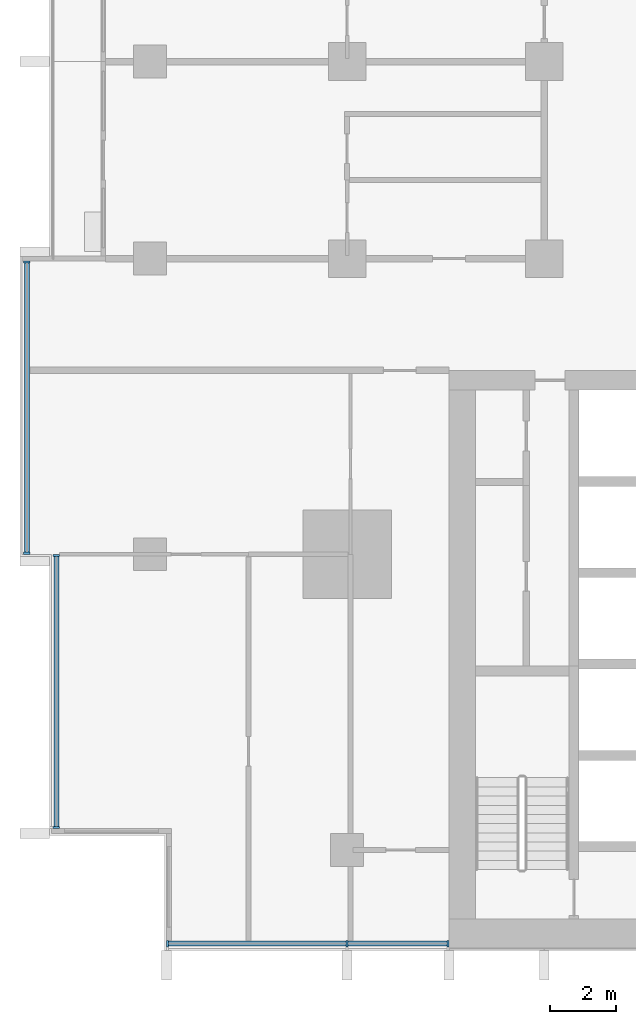
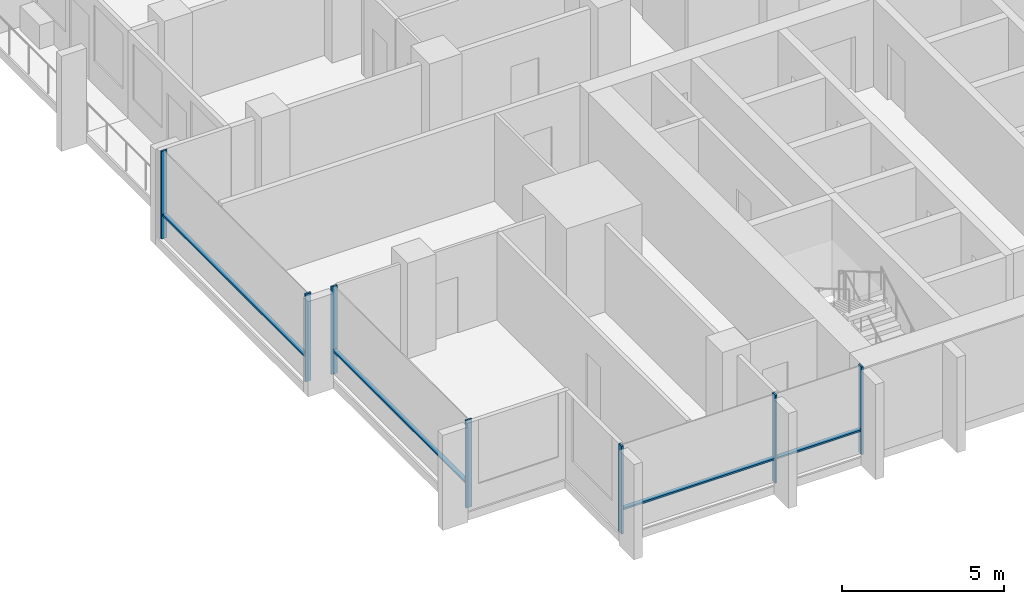
# One storey, part 2 of 17: 11 members, 3 elements without a shape of their own.
"""IFC4 building model written with IfcOpenShell, lengths in metres."""

from ifc_helpers import new_model, si_unit, direction, frame, origin, origin_2d, place, context, subcontext, project, spatial, rectangle, extrude, material, material_profile, profile_set, type_object, element, aggregate, save


model = new_model("IFC4")

# Units and contexts
model_context = context("Model", 3, precision=1e-05, world=origin(), true_north=direction((0.0, 1.0)))
body_context = subcontext(model_context, "Body", "Model", "MODEL_VIEW")
ifc_project = project(units=[si_unit("LENGTHUNIT", "METRE"), si_unit("AREAUNIT", "SQUARE_METRE"), si_unit("VOLUMEUNIT", "CUBIC_METRE"), si_unit("PLANEANGLEUNIT", "RADIAN"), si_unit("MASSUNIT", "GRAM", prefix="KILO")], contexts=[model_context])

# Site, building, storey
site_placement = place(None, origin())
site = spatial("IfcSite", under=ifc_project, at=site_placement, CompositionType="ELEMENT")
building_placement = place(site_placement, origin())
building = spatial("IfcBuilding", under=site, at=building_placement, Name="Finial Court Residences", CompositionType="ELEMENT")
storey_placement = place(building_placement, frame((0.0, 0.0, 102.699951171875)))
storey = spatial("IfcBuildingStorey", under=building, at=storey_placement, Name="L25", CompositionType="ELEMENT", Elevation=102.699951171875)

# Curtain wall, members
ifc_material = material(Name="Bronze anodised aluminium", Category="aluminium")
curtain_wall_type = type_object("IfcCurtainWallType", Name="Unitised curtain wall, lower and middle zones", PredefinedType="NOTDEFINED", material=ifc_material)
curtain_wall_1_placement = place(storey_placement, origin())
curtain_wall_1 = element("IfcCurtainWall", 1, at=curtain_wall_1_placement, inside=storey, type_object=curtain_wall_type, Name="E-L25-CW-S9", PredefinedType="NOTDEFINED")
ifc_material_profile_1 = material_profile(ifc_material, rectangle(XDim=0.199951171875, YDim=0.06494140625, at=origin_2d()), Name="CW1 mullion 65 x 200")
ifc_profile_set_1 = profile_set([ifc_material_profile_1], Name="Bronze anodised aluminium")
member_type_1 = type_object("IfcMemberType", Name="CW1 mullion 65 x 200", PredefinedType="MULLION", material=ifc_profile_set_1)
member_1_placement = place(storey_placement, frame((-21.967529296875, -25.35009765625, 0.0), z_axis=(0.0, 0.0, 1.0), x_axis=(0.0, 1.0, 0.0)))
member_1 = element("IfcMember", 2, at=member_1_placement, type_object=member_type_1, Name="CW1 mullion 1", PredefinedType="MULLION", context=body_context, shape_type="SweptSolid", body=[
    extrude(rectangle(XDim=0.199951171875, YDim=0.06494140625, at=origin_2d()), origin(), (0.0, 0.0, 1.0), 3.300048828125),
])
member_2_placement = place(storey_placement, frame((-16.5, -25.35009765625, 0.0), z_axis=(0.0, 0.0, 1.0), x_axis=(0.0, 1.0, 0.0)))
member_2 = element("IfcMember", 3, at=member_2_placement, type_object=member_type_1, Name="CW1 mullion 2", PredefinedType="MULLION", context=body_context, shape_type="SweptSolid", body=[
    extrude(rectangle(XDim=0.199951171875, YDim=0.06494140625, at=origin_2d()), origin(), (0.0, 0.0, 1.0), 3.300048828125),
])
member_3_placement = place(storey_placement, frame((-13.4326171875, -25.35009765625, 0.0), z_axis=(0.0, 0.0, 1.0), x_axis=(0.0, 1.0, 0.0)))
member_3 = element("IfcMember", 4, at=member_3_placement, type_object=member_type_1, Name="CW1 mullion 3", PredefinedType="MULLION", context=body_context, shape_type="SweptSolid", body=[
    extrude(rectangle(XDim=0.199951171875, YDim=0.06494140625, at=origin_2d()), origin(), (0.0, 0.0, 1.0), 3.300048828125),
])

curtain_wall_2_placement = place(storey_placement, origin())
curtain_wall_2 = element("IfcCurtainWall", 5, at=curtain_wall_2_placement, inside=storey, type_object=curtain_wall_type, Name="E-L25-CW-W11", PredefinedType="NOTDEFINED")
member_4_placement = place(storey_placement, frame((-25.35009765625, -21.8173828125, 0.0), z_axis=(0.0, 0.0, 1.0), x_axis=(-1.0, 0.0, 0.0)))
member_4 = element("IfcMember", 6, at=member_4_placement, type_object=member_type_1, Name="CW1 mullion 1", PredefinedType="MULLION", context=body_context, shape_type="SweptSolid", body=[
    extrude(rectangle(XDim=0.199951171875, YDim=0.06494140625, at=origin_2d()), origin(), (0.0, 0.0, 1.0), 3.300048828125),
])
member_5_placement = place(storey_placement, frame((-25.35009765625, -13.532470703125, 0.0), z_axis=(0.0, 0.0, 1.0), x_axis=(-1.0, 0.0, 0.0)))
member_5 = element("IfcMember", 7, at=member_5_placement, type_object=member_type_1, Name="CW1 mullion 2", PredefinedType="MULLION", context=body_context, shape_type="SweptSolid", body=[
    extrude(rectangle(XDim=0.199951171875, YDim=0.06494140625, at=origin_2d()), origin(), (0.0, 0.0, 1.0), 3.300048828125),
])

curtain_wall_3_placement = place(storey_placement, origin())
curtain_wall_3 = element("IfcCurtainWall", 8, at=curtain_wall_3_placement, inside=storey, type_object=curtain_wall_type, Name="E-L25-CW-W12", PredefinedType="NOTDEFINED")
member_6_placement = place(storey_placement, frame((-26.25, -13.467529296875, 0.0), z_axis=(0.0, 0.0, 1.0), x_axis=(-1.0, 0.0, 0.0)))
member_6 = element("IfcMember", 9, at=member_6_placement, type_object=member_type_1, Name="CW1 mullion 1", PredefinedType="MULLION", context=body_context, shape_type="SweptSolid", body=[
    extrude(rectangle(XDim=0.199951171875, YDim=0.06494140625, at=origin_2d()), origin(), (0.0, 0.0, 1.0), 3.300048828125),
])
member_7_placement = place(storey_placement, frame((-26.25, -4.607421875, 0.0), z_axis=(0.0, 0.0, 1.0), x_axis=(-1.0, 0.0, 0.0)))
member_7 = element("IfcMember", 10, at=member_7_placement, type_object=member_type_1, Name="CW1 mullion 2", PredefinedType="MULLION", context=body_context, shape_type="SweptSolid", body=[
    extrude(rectangle(XDim=0.199951171875, YDim=0.06494140625, at=origin_2d()), origin(), (0.0, 0.0, 1.0), 3.300048828125),
])

# Member
ifc_material_profile_2 = material_profile(ifc_material, rectangle(XDim=0.14990234375, YDim=0.06494140625, at=origin_2d()), Name="CW1 transom 65 x 150")
ifc_profile_set_2 = profile_set([ifc_material_profile_2], Name="Bronze anodised aluminium")
member_type_2 = type_object("IfcMemberType", Name="CW1 transom 65 x 150", PredefinedType="USERDEFINED", material=ifc_profile_set_2)
member_8_placement = place(storey_placement, frame((-21.93505859375, -25.35009765625, 0.900146484375), z_axis=(1.0, 0.0, 0.0), x_axis=(0.0, 1.0, 0.0)))
member_8 = element("IfcMember", 11, at=member_8_placement, type_object=member_type_2, Name="CW1 transom 1.1", ObjectType="TRANSOM", PredefinedType="USERDEFINED", context=body_context, shape_type="SweptSolid", body=[
    extrude(rectangle(XDim=0.14990234375, YDim=0.06494140625, at=origin_2d()), origin(), (0.0, 0.0, 1.0), 5.402587890625),
])

member_9_placement = place(storey_placement, frame((-16.467529296875, -25.35009765625, 0.900146484375), z_axis=(1.0, 0.0, 0.0), x_axis=(0.0, 1.0, 0.0)))
member_9 = element("IfcMember", 12, at=member_9_placement, type_object=member_type_2, Name="CW1 transom 2.1", ObjectType="TRANSOM", PredefinedType="USERDEFINED", context=body_context, shape_type="SweptSolid", body=[
    extrude(rectangle(XDim=0.14990234375, YDim=0.06494140625, at=origin_2d()), origin(), (0.0, 0.0, 1.0), 3.00244140625),
])

aggregate(curtain_wall_1, [member_1, member_2, member_3, member_8, member_9])

member_10_placement = place(storey_placement, frame((-25.35009765625, -21.784912109375, 0.900146484375), z_axis=(0.0, 1.0, 0.0), x_axis=(-1.0, 0.0, 0.0)))
member_10 = element("IfcMember", 13, at=member_10_placement, type_object=member_type_2, Name="CW1 transom 1.1", ObjectType="TRANSOM", PredefinedType="USERDEFINED", context=body_context, shape_type="SweptSolid", body=[
    extrude(rectangle(XDim=0.14990234375, YDim=0.06494140625, at=origin_2d()), origin(), (0.0, 0.0, 1.0), 8.219970703125),
])

aggregate(curtain_wall_2, [member_4, member_5, member_10])

member_11_placement = place(storey_placement, frame((-26.25, -13.43505859375, 0.900146484375), z_axis=(0.0, 1.0, 0.0), x_axis=(-1.0, 0.0, 0.0)))
member_11 = element("IfcMember", 14, at=member_11_placement, type_object=member_type_2, Name="CW1 transom 1.1", ObjectType="TRANSOM", PredefinedType="USERDEFINED", context=body_context, shape_type="SweptSolid", body=[
    extrude(rectangle(XDim=0.14990234375, YDim=0.06494140625, at=origin_2d()), origin(), (0.0, 0.0, 1.0), 8.795166015625),
])

aggregate(curtain_wall_3, [member_6, member_7, member_11])

save(model, "model.ifc")
